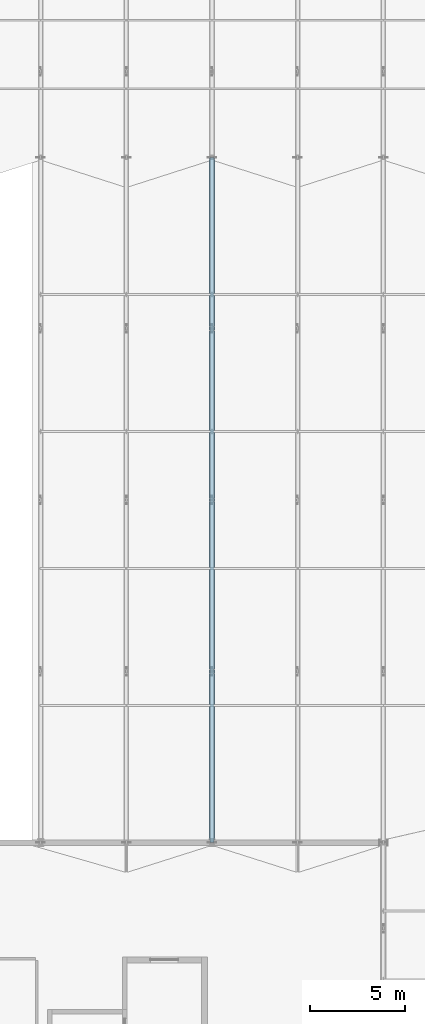
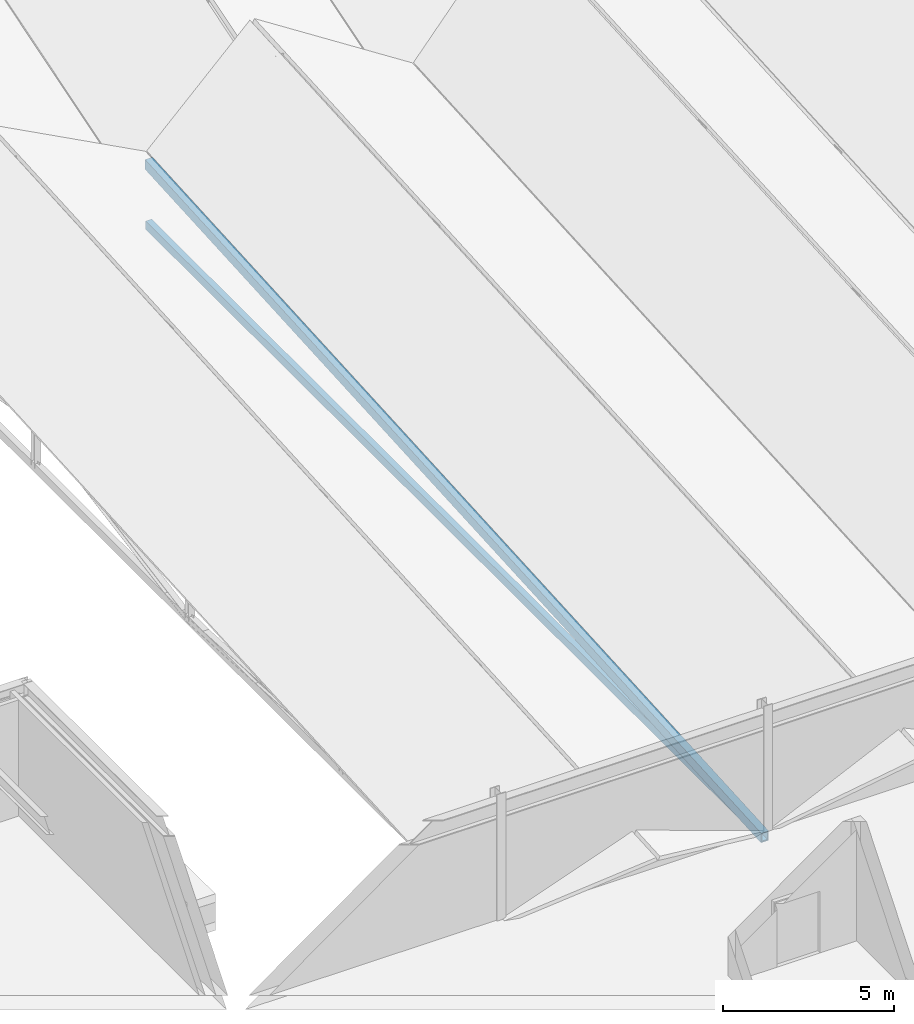
# One storey, part 33 of 142: 2 members.
"""IFC4 building model written with IfcOpenShell, lengths in metres."""

from ifc_helpers import new_model, si_unit, direction, frame, origin, origin_2d, place, context, subcontext, project, spatial, hollow_rectangle, extrude, material, material_profile, profile_set, type_object, element, save


model = new_model("IFC4")

# Units and contexts
model_context = context("Model", 3, precision=1e-05, world=origin(), true_north=direction((0.0, 1.0)))
body_context = subcontext(model_context, "Body", "Model", "MODEL_VIEW")
ifc_project = project(units=[si_unit("LENGTHUNIT", "METRE"), si_unit("AREAUNIT", "SQUARE_METRE"), si_unit("VOLUMEUNIT", "CUBIC_METRE"), si_unit("PLANEANGLEUNIT", "RADIAN"), si_unit("MASSUNIT", "GRAM", prefix="KILO")], contexts=[model_context])

# Site, building, storey
site_placement = place(None, origin())
site = spatial("IfcSite", under=ifc_project, at=site_placement, CompositionType="ELEMENT")
building_placement = place(site_placement, origin())
building = spatial("IfcBuilding", under=site, at=building_placement, Name="Montelvaro Courts of Justice", CompositionType="ELEMENT")
storey_placement = place(building_placement, frame((0.0, 0.0, 14.39990234375)))
storey = spatial("IfcBuildingStorey", under=building, at=storey_placement, Name="L03", CompositionType="ELEMENT", Elevation=14.39990234375)

# Members
ifc_material = material(Name="Steel S355", Category="steel")
ifc_material_profile_1 = material_profile(ifc_material, hollow_rectangle(XDim=0.199951171875, YDim=0.300048828125, WallThickness=0.012451171875, at=origin_2d()), Name="RHS 300x200x12.5")
ifc_profile_set_1 = profile_set([ifc_material_profile_1], Name="Steel S355")
member_type_1 = type_object("IfcMemberType", Name="Mem_RHS300_Chord", PredefinedType="CHORD", material=ifc_profile_set_1)
member_1_placement = place(storey_placement, frame((63.0, 42.0, -0.2998046875), z_axis=(0.0, 1.0, 0.0), x_axis=(-1.0, 0.0, 0.0)))
element("IfcMember", 1, at=member_1_placement, inside=storey, type_object=member_type_1, Name="Roof Truss ROOF-PASSAGE-VTR02 Bottom Chord", PredefinedType="CHORD", context=body_context, shape_type="SweptSolid", body=[
    extrude(hollow_rectangle(XDim=0.199951171875, YDim=0.300048828125, WallThickness=0.012451171875, at=origin_2d()), origin(), (0.0, 0.0, 1.0), 36.0),
])
ifc_material_profile_2 = material_profile(ifc_material, hollow_rectangle(XDim=0.25, YDim=0.35009765625, WallThickness=0.012451171875, at=origin_2d()), Name="RHS 350x250x12.5")
ifc_profile_set_2 = profile_set([ifc_material_profile_2], Name="Steel S355")
member_type_2 = type_object("IfcMemberType", Name="Mem_RHS350_Chord", PredefinedType="CHORD", material=ifc_profile_set_2)
member_2_placement = place(storey_placement, frame((63.0, 42.0, -0.31982421875), z_axis=(0.0, 0.998138012374, 0.060995969167), x_axis=(-1.0, 0.0, 0.0)))
element("IfcMember", 2, at=member_2_placement, inside=storey, type_object=member_type_2, Name="Roof Truss ROOF-PASSAGE-VTR02 Top Chord", PredefinedType="CHORD", context=body_context, shape_type="SweptSolid", body=[
    extrude(hollow_rectangle(XDim=0.25, YDim=0.35009765625, WallThickness=0.012451171875, at=origin_2d()), origin(), (0.0, 0.0, 1.0), 36.067138671875),
])

save(model, "model.ifc")
